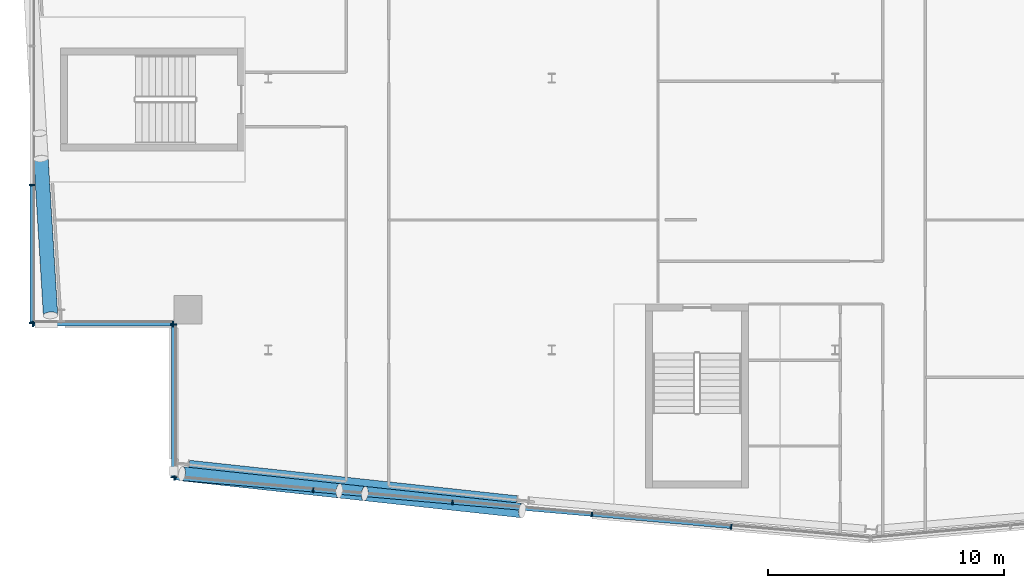
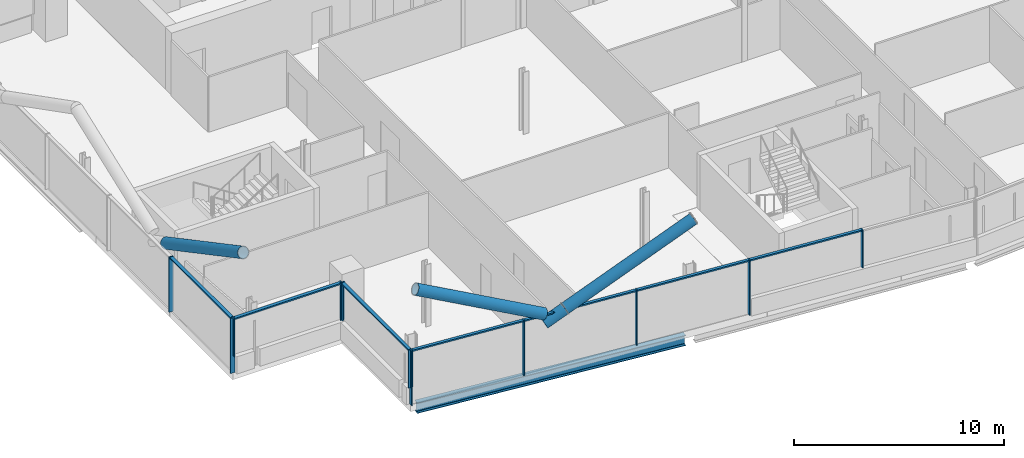
# One storey, part 5 of 28: 22 members, 1 beam, 4 elements without a shape of their own.
"""IFC4 building model written with IfcOpenShell, lengths in metres."""

from ifc_helpers import new_model, si_unit, direction, frame, origin, origin_2d, place, context, subcontext, project, spatial, rectangle, hollow_circle, i_section, extrude, material, material_profile, profile_set, type_object, element, aggregate, save


model = new_model("IFC4")

# Units and contexts
model_context = context("Model", 3, precision=1e-05, world=origin(), true_north=direction((0.0, 1.0)))
body_context = subcontext(model_context, "Body", "Model", "MODEL_VIEW")
ifc_project = project(units=[si_unit("LENGTHUNIT", "METRE"), si_unit("AREAUNIT", "SQUARE_METRE"), si_unit("VOLUMEUNIT", "CUBIC_METRE"), si_unit("PLANEANGLEUNIT", "RADIAN"), si_unit("MASSUNIT", "GRAM", prefix="KILO")], contexts=[model_context])

# Site, building, storey
site_placement = place(None, origin())
site = spatial("IfcSite", under=ifc_project, at=site_placement, CompositionType="ELEMENT")
building_placement = place(site_placement, origin())
building = spatial("IfcBuilding", under=site, at=building_placement, Name="Wharfspan Tower", CompositionType="ELEMENT")
storey_placement = place(building_placement, frame((0.0, 0.0, 253.899902)))
storey = spatial("IfcBuildingStorey", under=building, at=storey_placement, Name="L64", CompositionType="ELEMENT", Elevation=253.899902)

# Member
ifc_material_1 = material(Name="Steel S460NH", Category="steel")
ifc_material_profile_1 = material_profile(ifc_material_1, hollow_circle(Radius=0.304932, WallThickness=0.024902, at=origin_2d()))
ifc_profile_set_1 = profile_set([ifc_material_profile_1], Name="Steel S460NH")
member_type_1 = type_object("IfcMemberType", Name="Brace node tie CHS 610x25", PredefinedType="STRUT", material=ifc_profile_set_1)
member_1_placement = place(storey_placement, frame((27.014404, 5.527344, 2.633545), z_axis=(0.890134, -0.096457, 0.445373), x_axis=(0.107734, 0.994183, -4e-06)))
element("IfcMember", 1, at=member_1_placement, inside=storey, type_object=member_type_1, Name="Brace node tie L64 S1", PredefinedType="STRUT", context=body_context, shape_type="SweptSolid", body=[
    extrude(hollow_circle(Radius=0.304932, WallThickness=0.024902, at=origin_2d()), origin(), (0.0, 0.0, 1.0), 1.197266),
])

# Beam
ifc_material_2 = material(Name="Steel S355J2", Category="steel")
ifc_material_profile_2 = material_profile(ifc_material_2, i_section(OverallWidth=0.300049, OverallDepth=0.600098, WebThickness=0.015381, FlangeThickness=0.030029, FilletRadius=0.0271, at=origin_2d()))
ifc_profile_set_2 = profile_set([ifc_material_profile_2], Name="Steel S355J2")
beam_type = type_object("IfcBeamType", Name="Edge beam HEB 600", PredefinedType="SPANDREL", material=ifc_profile_set_2)
beam_placement = place(storey_placement, frame((20.648682, 6.674805, -0.699951), z_axis=(0.99418, -0.107732, 0.0), x_axis=(0.107732, 0.99418, 0.0)))
element("IfcBeam", 2, at=beam_placement, inside=storey, type_object=beam_type, Name="Edge beam S1 L64 PS1.1 to PS1.2", PredefinedType="SPANDREL", context=body_context, shape_type="SweptSolid", body=[
    extrude(i_section(OverallWidth=0.300049, OverallDepth=0.600098, WebThickness=0.015381, FlangeThickness=0.030029, FilletRadius=0.0271, at=origin_2d()), origin(), (0.0, 0.0, 1.0), 13.95752),
])

# Curtain wall, members
ifc_material_3 = material(Name="Aluminium 6063-T6", Category="aluminium")
curtain_wall_type_1 = type_object("IfcCurtainWallType", Name="CURTAIN WALL FACETED FRONT", PredefinedType="NOTDEFINED", material=ifc_material_3)
curtain_wall_1_placement = place(storey_placement, origin())
curtain_wall_1 = element("IfcCurtainWall", 3, at=curtain_wall_1_placement, inside=storey, type_object=curtain_wall_type_1, Name="Curtain wall S1", PredefinedType="NOTDEFINED")
ifc_material_profile_3 = material_profile(ifc_material_3, rectangle(XDim=0.199951, YDim=0.060059, at=origin_2d()))
ifc_profile_set_3 = profile_set([ifc_material_profile_3], Name="Aluminium 6063-T6")
member_type_2 = type_object("IfcMemberType", Name="MULLION FACETED FRONT 60x200", PredefinedType="MULLION", material=ifc_profile_set_3)
member_2_placement = place(storey_placement, frame((20.029785, 6.07251, 0.0), z_axis=(0.0, 0.0, 1.0), x_axis=(0.087156, 0.996197, 0.0)))
member_2 = element("IfcMember", 4, at=member_2_placement, type_object=member_type_2, Name="Curtain wall S1 mullion 1", PredefinedType="MULLION", context=body_context, shape_type="SweptSolid", body=[
    extrude(rectangle(XDim=0.199951, YDim=0.060059, at=origin_2d()), origin(), (0.0, 0.0, 1.0), 3.200195),
])
member_3_placement = place(storey_placement, frame((25.899902, 5.558838, 0.0), z_axis=(0.0, 0.0, 1.0), x_axis=(0.087156, 0.996197, 0.0)))
member_3 = element("IfcMember", 5, at=member_3_placement, type_object=member_type_2, Name="Curtain wall S1 mullion 2", PredefinedType="MULLION", context=body_context, shape_type="SweptSolid", body=[
    extrude(rectangle(XDim=0.199951, YDim=0.060059, at=origin_2d()), origin(), (0.0, 0.0, 1.0), 3.200195),
])
member_4_placement = place(storey_placement, frame((31.800049, 5.042725, 0.0), z_axis=(0.0, 0.0, 1.0), x_axis=(0.087156, 0.996197, 0.0)))
member_4 = element("IfcMember", 6, at=member_4_placement, type_object=member_type_2, Name="Curtain wall S1 mullion 3", PredefinedType="MULLION", context=body_context, shape_type="SweptSolid", body=[
    extrude(rectangle(XDim=0.199951, YDim=0.060059, at=origin_2d()), origin(), (0.0, 0.0, 1.0), 3.200195),
])
member_5_placement = place(storey_placement, frame((37.699951, 4.526611, 0.0), z_axis=(0.0, 0.0, 1.0), x_axis=(0.087156, 0.996197, 0.0)))
member_5 = element("IfcMember", 7, at=member_5_placement, type_object=member_type_2, Name="Curtain wall S1 mullion 4", PredefinedType="MULLION", context=body_context, shape_type="SweptSolid", body=[
    extrude(rectangle(XDim=0.199951, YDim=0.060059, at=origin_2d()), origin(), (0.0, 0.0, 1.0), 3.200195),
])
member_6_placement = place(storey_placement, frame((43.600098, 4.010254, 1.0), z_axis=(0.0, 0.0, 1.0), x_axis=(0.087156, 0.996197, 0.0)))
member_6 = element("IfcMember", 8, at=member_6_placement, type_object=member_type_2, Name="Curtain wall S1 mullion 5", PredefinedType="MULLION", context=body_context, shape_type="SweptSolid", body=[
    extrude(rectangle(XDim=0.199951, YDim=0.060059, at=origin_2d()), origin(), (0.0, 0.0, 1.0), 2.200195),
])

curtain_wall_type_2 = type_object("IfcCurtainWallType", Name="CURTAIN WALL PROW AND END", PredefinedType="NOTDEFINED", material=ifc_material_3)
curtain_wall_2_placement = place(storey_placement, origin())
curtain_wall_2 = element("IfcCurtainWall", 9, at=curtain_wall_2_placement, inside=storey, type_object=curtain_wall_type_2, Name="Curtain wall W", PredefinedType="NOTDEFINED")
ifc_material_profile_4 = material_profile(ifc_material_3, rectangle(XDim=0.23999, YDim=0.060059, at=origin_2d()))
ifc_profile_set_4 = profile_set([ifc_material_profile_4], Name="Aluminium 6063-T6")
member_type_3 = type_object("IfcMemberType", Name="MULLION PROW AND END 60x240", PredefinedType="MULLION", material=ifc_profile_set_4)
member_7_placement = place(storey_placement, frame((14.0, 18.47998, 0.0), z_axis=(0.0, 0.0, 1.0), x_axis=(1.0, 0.0, 0.0)))
member_7 = element("IfcMember", 10, at=member_7_placement, type_object=member_type_3, Name="Curtain wall W mullion 5", PredefinedType="MULLION", context=body_context, shape_type="SweptSolid", body=[
    extrude(rectangle(XDim=0.23999, YDim=0.060059, at=origin_2d()), origin(), (0.0, 0.0, 1.0), 3.200195),
])
member_8_placement = place(storey_placement, frame((14.0, 12.629883, 0.0), z_axis=(0.0, 0.0, 1.0), x_axis=(1.0, 0.0, 0.0)))
member_8 = element("IfcMember", 11, at=member_8_placement, type_object=member_type_3, Name="Curtain wall W mullion 6", PredefinedType="MULLION", context=body_context, shape_type="SweptSolid", body=[
    extrude(rectangle(XDim=0.23999, YDim=0.060059, at=origin_2d()), origin(), (0.0, 0.0, 1.0), 3.200195),
])

curtain_wall_3_placement = place(storey_placement, origin())
curtain_wall_3 = element("IfcCurtainWall", 12, at=curtain_wall_3_placement, inside=storey, type_object=curtain_wall_type_2, Name="Curtain wall NFW-H", PredefinedType="NOTDEFINED")
member_9_placement = place(storey_placement, frame((14.030029, 12.600098, 1.0), z_axis=(0.0, 0.0, 1.0), x_axis=(0.0, 1.0, 0.0)))
member_9 = element("IfcMember", 13, at=member_9_placement, type_object=member_type_3, Name="Curtain wall NFW-H mullion 1", PredefinedType="MULLION", context=body_context, shape_type="SweptSolid", body=[
    extrude(rectangle(XDim=0.23999, YDim=0.060059, at=origin_2d()), origin(), (0.0, 0.0, 1.0), 2.200195),
])
member_10_placement = place(storey_placement, frame((19.969971, 12.600098, 1.0), z_axis=(0.0, 0.0, 1.0), x_axis=(0.0, 1.0, 0.0)))
member_10 = element("IfcMember", 14, at=member_10_placement, type_object=member_type_3, Name="Curtain wall NFW-H mullion 2", PredefinedType="MULLION", context=body_context, shape_type="SweptSolid", body=[
    extrude(rectangle(XDim=0.23999, YDim=0.060059, at=origin_2d()), origin(), (0.0, 0.0, 1.0), 2.200195),
])

curtain_wall_4_placement = place(storey_placement, origin())
curtain_wall_4 = element("IfcCurtainWall", 15, at=curtain_wall_4_placement, inside=storey, type_object=curtain_wall_type_2, Name="Curtain wall NFW-V", PredefinedType="NOTDEFINED")
member_11_placement = place(storey_placement, frame((20.0, 12.570068, 1.0), z_axis=(0.0, 0.0, 1.0), x_axis=(1.0, 0.0, 0.0)))
member_11 = element("IfcMember", 16, at=member_11_placement, type_object=member_type_3, Name="Curtain wall NFW-V mullion 1", PredefinedType="MULLION", context=body_context, shape_type="SweptSolid", body=[
    extrude(rectangle(XDim=0.23999, YDim=0.060059, at=origin_2d()), origin(), (0.0, 0.0, 1.0), 2.200195),
])
member_12_placement = place(storey_placement, frame((20.0, 6.10498, 1.0), z_axis=(0.0, 0.0, 1.0), x_axis=(1.0, 0.0, 0.0)))
member_12 = element("IfcMember", 17, at=member_12_placement, type_object=member_type_3, Name="Curtain wall NFW-V mullion 2", PredefinedType="MULLION", context=body_context, shape_type="SweptSolid", body=[
    extrude(rectangle(XDim=0.23999, YDim=0.060059, at=origin_2d()), origin(), (0.0, 0.0, 1.0), 2.200195),
])

# Members
ifc_material_profile_5 = material_profile(ifc_material_1, hollow_circle(Radius=0.304932, WallThickness=0.024902, at=origin_2d()))
ifc_profile_set_5 = profile_set([ifc_material_profile_5], Name="Steel S460NH")
member_type_4 = type_object("IfcMemberType", Name="Mega brace CHS 610x25", PredefinedType="BRACE", material=ifc_profile_set_5)
for number, where, z_axis, x_axis, name in (
    (18, (28.088867, 5.410889, 3.171143), (0.890126, -0.09646, 0.445389), (0.107737, 0.99418, -2e-06), "Mega brace S1 L64 part 2"),
    (19, (27.005371, 5.52832, 3.171143), (-0.890126, 0.09646, 0.445389), (-0.107737, -0.99418, -2e-06), "Mega brace S1 L64 part 4"),
):
    element("IfcMember", number, at=place(storey_placement, frame(where, z_axis=z_axis, x_axis=x_axis)), inside=storey, type_object=member_type_4, Name=name, PredefinedType="BRACE", context=body_context, shape_type="SweptSolid", body=[
        extrude(hollow_circle(Radius=0.304932, WallThickness=0.024902, at=origin_2d()), origin(), (0.0, 0.0, 1.0), 7.474121),
    ])
member_13_placement = place(storey_placement, frame((14.376953, 19.592773, 3.170654), z_axis=(0.054615, -0.892302, 0.448123), x_axis=(0.998132, 0.061091, -3e-06)))
element("IfcMember", 20, at=member_13_placement, inside=storey, type_object=member_type_4, Name="Mega brace W4 L64 part 2", PredefinedType="BRACE", context=body_context, shape_type="SweptSolid", body=[
    extrude(hollow_circle(Radius=0.304932, WallThickness=0.024902, at=origin_2d()), origin(), (0.0, 0.0, 1.0), 7.429443),
])

# Member
ifc_material_profile_6 = material_profile(ifc_material_3, rectangle(XDim=0.159912, YDim=0.080078, at=origin_2d()))
ifc_profile_set_6 = profile_set([ifc_material_profile_6], Name="Aluminium 6063-T6")
member_type_5 = type_object("IfcMemberType", Name="TRANSOM FACETED FRONT 80x160", PredefinedType="USERDEFINED", material=ifc_profile_set_6)
member_14_placement = place(storey_placement, frame((20.059814, 6.069824, 3.160156), z_axis=(0.996195, -0.08715, 0.0), x_axis=(0.08715, 0.996195, 0.0)))
member_14 = element("IfcMember", 21, at=member_14_placement, type_object=member_type_5, Name="Curtain wall S1 transom 1", ObjectType="TRANSOM", PredefinedType="USERDEFINED", context=body_context, shape_type="SweptSolid", body=[
    extrude(rectangle(XDim=0.159912, YDim=0.080078, at=origin_2d()), origin(), (0.0, 0.0, 1.0), 5.83252),
])

member_15_placement = place(storey_placement, frame((25.929932, 5.556152, 3.160156), z_axis=(0.996198, -0.087122, 0.0), x_axis=(0.087122, 0.996198, 0.0)))
member_15 = element("IfcMember", 22, at=member_15_placement, type_object=member_type_5, Name="Curtain wall S1 transom 2", ObjectType="TRANSOM", PredefinedType="USERDEFINED", context=body_context, shape_type="SweptSolid", body=[
    extrude(rectangle(XDim=0.159912, YDim=0.080078, at=origin_2d()), origin(), (0.0, 0.0, 1.0), 5.862305),
])

member_16_placement = place(storey_placement, frame((31.829834, 5.040039, 3.160156), z_axis=(0.996194, -0.08716, 0.0), x_axis=(0.08716, 0.996194, 0.0)))
member_16 = element("IfcMember", 23, at=member_16_placement, type_object=member_type_5, Name="Curtain wall S1 transom 3", ObjectType="TRANSOM", PredefinedType="USERDEFINED", context=body_context, shape_type="SweptSolid", body=[
    extrude(rectangle(XDim=0.159912, YDim=0.080078, at=origin_2d()), origin(), (0.0, 0.0, 1.0), 5.862549),
])

member_17_placement = place(storey_placement, frame((37.72998, 4.523926, 3.160156), z_axis=(0.996194, -0.087163, 0.0), x_axis=(0.087163, 0.996194, 0.0)))
member_17 = element("IfcMember", 24, at=member_17_placement, type_object=member_type_5, Name="Curtain wall S1 transom 4", ObjectType="TRANSOM", PredefinedType="USERDEFINED", context=body_context, shape_type="SweptSolid", body=[
    extrude(rectangle(XDim=0.159912, YDim=0.080078, at=origin_2d()), origin(), (0.0, 0.0, 1.0), 5.862305),
])

aggregate(curtain_wall_1, [member_2, member_3, member_4, member_5, member_6, member_14, member_15, member_16, member_17])

ifc_material_profile_7 = material_profile(ifc_material_3, rectangle(XDim=0.179932, YDim=0.080078, at=origin_2d()))
ifc_profile_set_7 = profile_set([ifc_material_profile_7], Name="Aluminium 6063-T6")
member_type_6 = type_object("IfcMemberType", Name="TRANSOM PROW AND END 80x180", PredefinedType="USERDEFINED", material=ifc_profile_set_7)
member_18_placement = place(storey_placement, frame((14.0, 18.449951, 3.160156), z_axis=(0.0, -1.0, 0.0), x_axis=(1.0, 0.0, 0.0)))
member_18 = element("IfcMember", 25, at=member_18_placement, type_object=member_type_6, Name="Curtain wall W transom 5", ObjectType="TRANSOM", PredefinedType="USERDEFINED", context=body_context, shape_type="SweptSolid", body=[
    extrude(rectangle(XDim=0.179932, YDim=0.080078, at=origin_2d()), origin(), (0.0, 0.0, 1.0), 5.790039),
])

aggregate(curtain_wall_2, [member_7, member_8, member_18])

member_19_placement = place(storey_placement, frame((14.060059, 12.600098, 3.160156), z_axis=(1.0, 0.0, 0.0), x_axis=(0.0, 1.0, 0.0)))
member_19 = element("IfcMember", 26, at=member_19_placement, type_object=member_type_6, Name="Curtain wall NFW-H transom 1", ObjectType="TRANSOM", PredefinedType="USERDEFINED", context=body_context, shape_type="SweptSolid", body=[
    extrude(rectangle(XDim=0.179932, YDim=0.080078, at=origin_2d()), origin(), (0.0, 0.0, 1.0), 5.879883),
])

aggregate(curtain_wall_3, [member_9, member_10, member_19])

member_20_placement = place(storey_placement, frame((20.0, 12.540039, 3.160156), z_axis=(0.0, -1.0, 0.0), x_axis=(1.0, 0.0, 0.0)))
member_20 = element("IfcMember", 27, at=member_20_placement, type_object=member_type_6, Name="Curtain wall NFW-V transom 1", ObjectType="TRANSOM", PredefinedType="USERDEFINED", context=body_context, shape_type="SweptSolid", body=[
    extrude(rectangle(XDim=0.179932, YDim=0.080078, at=origin_2d()), origin(), (0.0, 0.0, 1.0), 6.405029),
])

aggregate(curtain_wall_4, [member_11, member_12, member_20])

save(model, "model.ifc")
